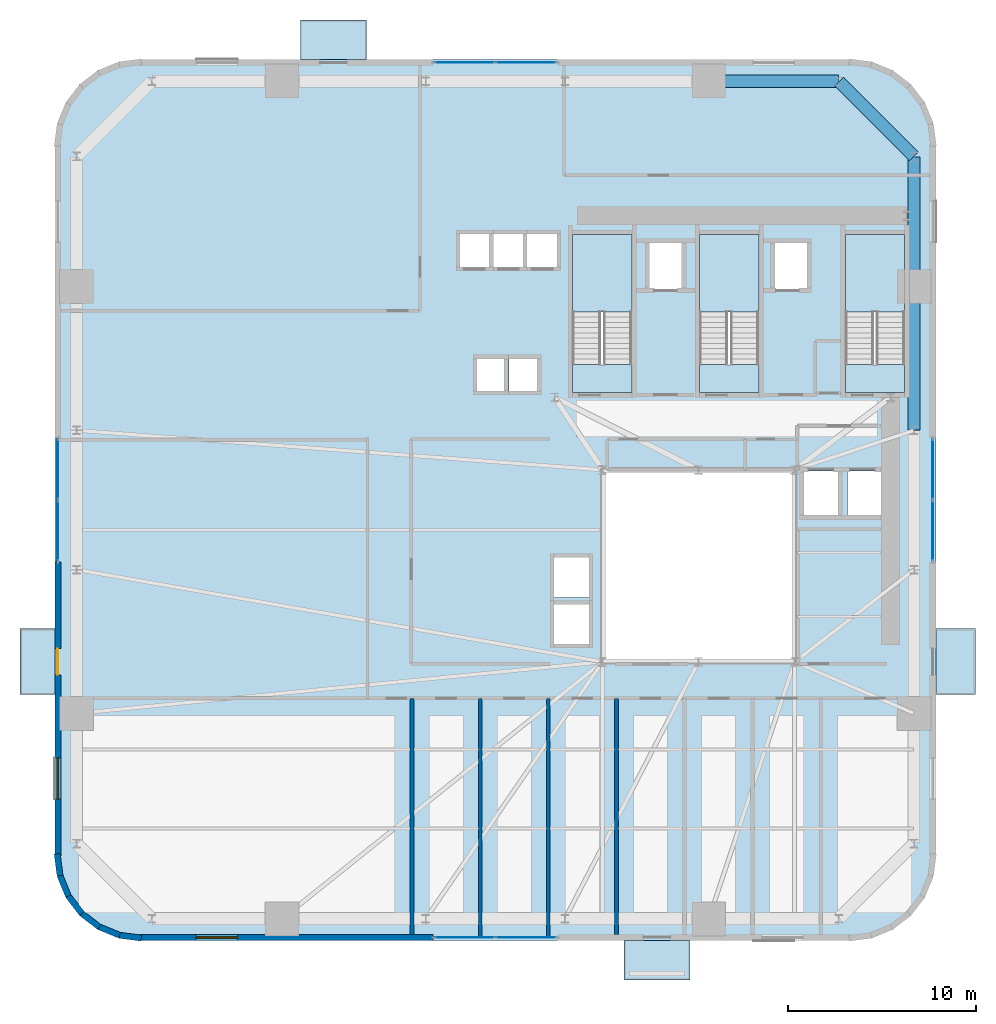
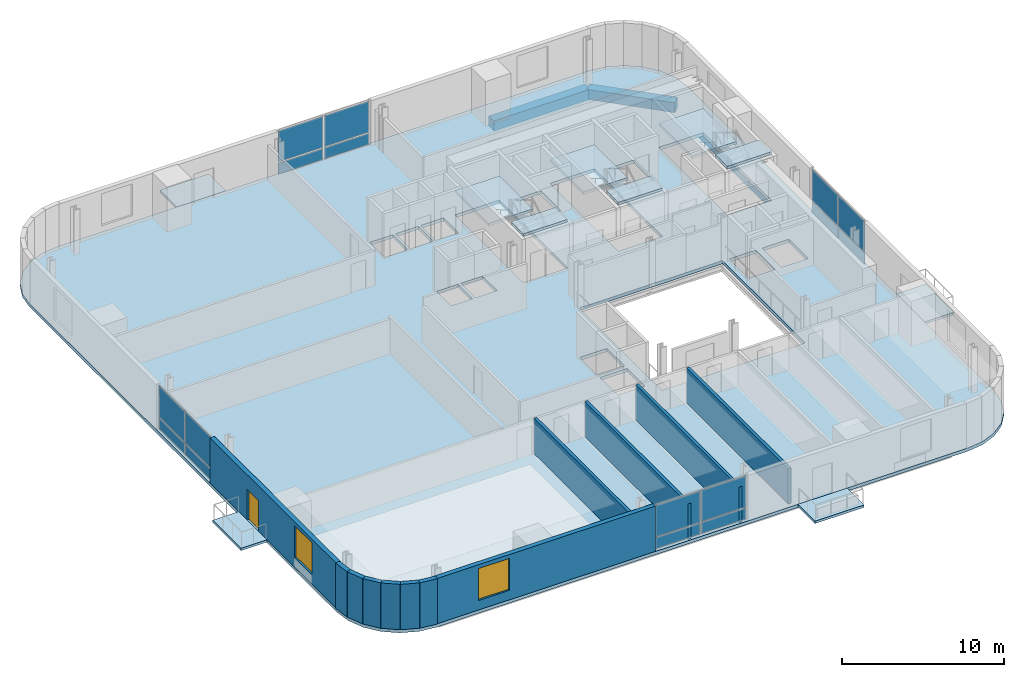
# One storey, part 5 of 12: 16 plates, 12 walls, 11 slabs, 4 beams, 2 windows, 1 door, 3 openings, 7 elements without a shape of their own.
"""IFC4 building model written with IfcOpenShell, lengths in metres."""

from ifc_helpers import new_model, si_unit, direction, frame, frame_2d, origin, origin_2d, place, context, subcontext, project, spatial, polyline, rectangle, outline, extrude, source, transform, mapped, material, layer, layer_set, material_profile, profile_set, type_object, element, fill, aggregate, save


model = new_model("IFC4")

# Units and contexts
model_context = context("Model", 3, precision=1e-05, world=origin(), true_north=direction((0.0, 1.0)))
body_context = subcontext(model_context, "Body", "Model", "MODEL_VIEW")
ifc_project = project(units=[si_unit("LENGTHUNIT", "METRE"), si_unit("AREAUNIT", "SQUARE_METRE"), si_unit("VOLUMEUNIT", "CUBIC_METRE"), si_unit("PLANEANGLEUNIT", "RADIAN"), si_unit("MASSUNIT", "GRAM", prefix="KILO")], contexts=[model_context])

# Site, building, storey
site_placement = place(None, origin())
site = spatial("IfcSite", under=ifc_project, at=site_placement, CompositionType="ELEMENT")
building_placement = place(site_placement, origin())
building = spatial("IfcBuilding", under=site, at=building_placement, Name="Vardaveli Station Tower", CompositionType="ELEMENT")
storey_placement = place(building_placement, frame((0.0, 0.0, 60.449951171875)))
storey = spatial("IfcBuildingStorey", under=building, at=storey_placement, Name="L15", CompositionType="ELEMENT", Elevation=60.449951171875)

# Beams
ifc_material_1 = material(Name="Precast concrete C45/55", Category="concrete")
ifc_material_profile = material_profile(ifc_material_1, rectangle(XDim=0.64990234375, YDim=0.75, at=origin_2d()), Name="LPB 650x750")
ifc_profile_set = profile_set([ifc_material_profile], Name="Precast concrete C45/55")
beam_type = type_object("IfcBeamType", Name="BM-LPB-750", PredefinedType="BEAM", material=ifc_profile_set)
shared_shape_1 = source(origin(), body_context, "Body", "SweptSolid", [
    extrude(rectangle(XDim=0.64990234375, YDim=0.75, at=origin_2d()), origin(), (0.0, 0.0, 1.0), 7.60009765625),
])
beam_1_placement = place(storey_placement, frame((47.75, 28.919921875, -0.614990234375), z_axis=(0.0, 1.0, 0.0), x_axis=(-1.0, 0.0, 0.0)))
element("IfcBeam", 1, at=beam_1_placement, inside=storey, type_object=beam_type, Name="RBM-L15-09", PredefinedType="BEAM", context=body_context, shape_type="MappedRepresentation", body=[
    mapped(shared_shape_1, transform((0.0, 0.0, 0.0), scale=1.0)),
])
shared_shape_2 = source(origin(), body_context, "Body", "SweptSolid", [
    extrude(rectangle(XDim=0.64990234375, YDim=0.75, at=origin_2d()), origin(), (0.0, 0.0, 1.0), 6.869873046875),
])
for number, where, z_axis, x_axis, name in (
    (2, (47.75, 36.56005859375, -0.614990234375), (0.0, 1.0, 0.0), (-1.0, 0.0, 0.0), "RBM-L15-10"),
    (3, (43.72998046875, 47.449951171875, -0.614990234375), (-1.0, 0.0, 0.0), (0.0, -1.0, 0.0), "RBM-L15-12"),
):
    element("IfcBeam", number, at=place(storey_placement, frame(where, z_axis=z_axis, x_axis=x_axis)), inside=storey, type_object=beam_type, Name=name, PredefinedType="BEAM", context=body_context, shape_type="MappedRepresentation", body=[
        mapped(shared_shape_2, transform((0.0, 0.0, 0.0), scale=1.0)),
    ])
shared_shape_3 = source(origin(), body_context, "Body", "SweptSolid", [
    extrude(rectangle(XDim=0.64990234375, YDim=0.75, at=origin_2d()), origin(), (0.0, 0.0, 1.0), 5.61669921875),
])
beam_2_placement = place(storey_placement, frame((47.73583984375, 43.464111328125, -0.614990234375), z_axis=(-0.707106781187, 0.707106781187, 0.0), x_axis=(-0.707106781187, -0.707106781187, 0.0)))
element("IfcBeam", 4, at=beam_2_placement, inside=storey, type_object=beam_type, Name="RBM-L15-11", PredefinedType="BEAM", context=body_context, shape_type="MappedRepresentation", body=[
    mapped(shared_shape_3, transform((0.0, 0.0, 0.0), scale=1.0)),
])

# Stair, slabs
ifc_material_2 = material(Name="Concrete C40/50", Category="concrete")
stair_type = type_object("IfcStairType", Name="STR-CORE-1500", PredefinedType="HALF_TURN_STAIR", material=ifc_material_2)
stair_1_placement = place(storey_placement, origin())
stair_1 = element("IfcStair", 5, at=stair_1_placement, inside=storey, type_object=stair_type, Name="L15 ST-1", PredefinedType="HALF_TURN_STAIR")
ifc_layer_1 = layer(ifc_material_2, 0.199951171875, Name="Concrete C40/50")
ifc_layer_set_1 = layer_set([ifc_layer_1], Name="Concrete C40/50")
slab_type_1 = type_object("IfcSlabType", Name="SLB-LAND-200", PredefinedType="LANDING", material=ifc_layer_set_1)
slab_1_placement = place(storey_placement, frame((0.0, 0.0, 1.625)))
slab_1 = element("IfcSlab", 6, at=slab_1_placement, type_object=slab_type_1, Name="ST-1 landing 1", PredefinedType="LANDING", context=body_context, shape_type="SweptSolid", body=[
    extrude(outline(polyline([(32.75, 35.199951171875), (32.75, 39.300048828125), (29.60009765625, 39.300048828125), (29.60009765625, 35.199951171875), (32.75, 35.199951171875)])), origin(), (0.0, 0.0, 1.0), 0.199951171875),
])
slab_2_placement = place(storey_placement, frame((0.0, 0.0, 3.449951171875)))
slab_2 = element("IfcSlab", 7, at=slab_2_placement, type_object=slab_type_1, Name="ST-1 landing 2", PredefinedType="LANDING", context=body_context, shape_type="SweptSolid", body=[
    extrude(outline(polyline([(32.75, 30.89990234375), (32.75, 32.39990234375), (29.60009765625, 32.39990234375), (29.60009765625, 30.89990234375), (32.75, 30.89990234375)])), origin(), (0.0, 0.0, 1.0), 0.2001953125),
])
aggregate(stair_1, [slab_1, slab_2])

stair_2_placement = place(storey_placement, origin())
stair_2 = element("IfcStair", 8, at=stair_2_placement, inside=storey, type_object=stair_type, Name="L15 ST-2", PredefinedType="HALF_TURN_STAIR")
slab_3_placement = place(storey_placement, frame((0.0, 0.0, 1.625)))
slab_3 = element("IfcSlab", 9, at=slab_3_placement, type_object=slab_type_1, Name="ST-2 landing 1", PredefinedType="LANDING", context=body_context, shape_type="SweptSolid", body=[
    extrude(outline(polyline([(39.5, 35.199951171875), (39.5, 39.300048828125), (36.35009765625, 39.300048828125), (36.35009765625, 35.199951171875), (39.5, 35.199951171875)])), origin(), (0.0, 0.0, 1.0), 0.199951171875),
])
slab_4_placement = place(storey_placement, frame((0.0, 0.0, 3.449951171875)))
slab_4 = element("IfcSlab", 10, at=slab_4_placement, type_object=slab_type_1, Name="ST-2 landing 2", PredefinedType="LANDING", context=body_context, shape_type="SweptSolid", body=[
    extrude(outline(polyline([(39.5, 30.89990234375), (39.5, 32.39990234375), (36.35009765625, 32.39990234375), (36.35009765625, 30.89990234375), (39.5, 30.89990234375)])), origin(), (0.0, 0.0, 1.0), 0.2001953125),
])
aggregate(stair_2, [slab_3, slab_4])

stair_3_placement = place(storey_placement, origin())
stair_3 = element("IfcStair", 11, at=stair_3_placement, inside=storey, type_object=stair_type, Name="L15 ST-3", PredefinedType="HALF_TURN_STAIR")
slab_5_placement = place(storey_placement, frame((0.0, 0.0, 1.625)))
slab_5 = element("IfcSlab", 12, at=slab_5_placement, type_object=slab_type_1, Name="ST-3 landing 1", PredefinedType="LANDING", context=body_context, shape_type="SweptSolid", body=[
    extrude(outline(polyline([(47.25, 35.199951171875), (47.25, 39.300048828125), (44.10009765625, 39.300048828125), (44.10009765625, 35.199951171875), (47.25, 35.199951171875)])), origin(), (0.0, 0.0, 1.0), 0.199951171875),
])
slab_6_placement = place(storey_placement, frame((0.0, 0.0, 3.449951171875)))
slab_6 = element("IfcSlab", 13, at=slab_6_placement, type_object=slab_type_1, Name="ST-3 landing 2", PredefinedType="LANDING", context=body_context, shape_type="SweptSolid", body=[
    extrude(outline(polyline([(47.25, 30.89990234375), (47.25, 32.39990234375), (44.10009765625, 32.39990234375), (44.10009765625, 30.89990234375), (47.25, 30.89990234375)])), origin(), (0.0, 0.0, 1.0), 0.2001953125),
])
aggregate(stair_3, [slab_5, slab_6])

# Slabs
ifc_layer_2 = layer(ifc_material_1, 0.179931640625, Name="Precast concrete C45/55")
ifc_layer_set_2 = layer_set([ifc_layer_2], Name="Precast concrete C45/55")
slab_type_2 = type_object("IfcSlabType", Name="SLB-LOGGIA-180", PredefinedType="FLOOR", material=ifc_layer_set_2)
slab_7_placement = place(storey_placement, frame((0.0, 0.0, -0.179931640625)))
element("IfcSlab", 14, at=slab_7_placement, inside=storey, type_object=slab_type_2, Name="LOG-L15-S", PredefinedType="FLOOR", context=body_context, shape_type="SweptSolid", body=[
    extrude(outline(polyline([(32.339599609375, -0.300048828125), (35.839599609375, -0.300048828125), (35.839599609375, 1.800048828125), (32.339599609375, 1.800048828125), (32.339599609375, -0.300048828125)])), origin(), (0.0, 0.0, 1.0), 0.179931640625),
])
slab_8_placement = place(storey_placement, frame((0.0, 0.0, -0.179931640625)))
element("IfcSlab", 15, at=slab_8_placement, inside=storey, type_object=slab_type_2, Name="LOG-L15-N", PredefinedType="FLOOR", context=body_context, shape_type="SweptSolid", body=[
    extrude(outline(polyline([(15.160400390625, 48.60009765625), (18.660400390625, 48.60009765625), (18.660400390625, 50.699951171875), (15.160400390625, 50.699951171875), (15.160400390625, 48.60009765625)])), origin(), (0.0, 0.0, 1.0), 0.179931640625),
])
slab_9_placement = place(storey_placement, frame((0.0, 0.0, -0.179931640625)))
element("IfcSlab", 16, at=slab_9_placement, inside=storey, type_object=slab_type_2, Name="LOG-L15-W", PredefinedType="FLOOR", context=body_context, shape_type="SweptSolid", body=[
    extrude(outline(polyline([(0.25, 14.8603515625), (2.10009765625, 14.8603515625), (2.10009765625, 18.3603515625), (0.25, 18.3603515625), (0.25, 14.8603515625)])), origin(), (0.0, 0.0, 1.0), 0.179931640625),
])
slab_10_placement = place(storey_placement, frame((0.0, 0.0, -0.179931640625)))
element("IfcSlab", 17, at=slab_10_placement, inside=storey, type_object=slab_type_2, Name="LOG-L15-E", PredefinedType="FLOOR", context=body_context, shape_type="SweptSolid", body=[
    extrude(outline(polyline([(48.89990234375, 14.8603515625), (51.0, 14.8603515625), (51.0, 18.3603515625), (48.89990234375, 18.3603515625), (48.89990234375, 14.8603515625)])), origin(), (0.0, 0.0, 1.0), 0.179931640625),
])
ifc_layer_3 = layer(ifc_material_2, 0.239990234375, Name="Concrete C40/50")
ifc_layer_set_3 = layer_set([ifc_layer_3], Name="Concrete C40/50")
slab_type_3 = type_object("IfcSlabType", Name="SLB-TOW-240", PredefinedType="FLOOR", material=ifc_layer_set_3)
slab_11_placement = place(storey_placement, frame((0.0, 0.0, -0.239990234375)))
element("IfcSlab", 18, at=slab_11_placement, inside=storey, type_object=slab_type_3, Name="SLB-L15-MAIN", PredefinedType="FLOOR", context=body_context, shape_type="SweptSolid", body=[
    extrude(outline(polyline([(2.10009765625, 6.300048828125), (2.25341796875, 5.13525390625), (2.702880859375, 4.050048828125), (3.41796875, 3.117919921875), (4.35009765625, 2.40283203125), (5.435302734375, 1.953369140625), (6.60009765625, 1.800048828125), (44.39990234375, 1.800048828125), (45.564697265625, 1.953369140625), (46.64990234375, 2.40283203125), (47.58203125, 3.117919921875), (48.297119140625, 4.050048828125), (48.74658203125, 5.13525390625), (48.89990234375, 6.300048828125), (48.89990234375, 44.10009765625), (48.74658203125, 45.2646484375), (48.297119140625, 46.35009765625), (47.58203125, 47.281982421875), (46.64990234375, 47.9970703125), (45.564697265625, 48.44677734375), (44.39990234375, 48.60009765625), (6.60009765625, 48.60009765625), (5.435302734375, 48.44677734375), (4.35009765625, 47.9970703125), (3.41796875, 47.281982421875), (2.702880859375, 46.35009765625), (2.25341796875, 45.2646484375), (2.10009765625, 44.10009765625), (2.10009765625, 6.300048828125)]), holes=[polyline([(31.199951171875, 16.60009765625), (41.39990234375, 16.60009765625), (41.39990234375, 26.800048828125), (31.199951171875, 26.800048828125), (31.199951171875, 16.60009765625)]), polyline([(32.75, 30.89990234375), (32.75, 39.300048828125), (29.60009765625, 39.300048828125), (29.60009765625, 30.89990234375), (32.75, 30.89990234375)]), polyline([(39.5, 30.89990234375), (39.5, 39.300048828125), (36.35009765625, 39.300048828125), (36.35009765625, 30.89990234375), (39.5, 30.89990234375)]), polyline([(47.25, 30.89990234375), (47.25, 39.300048828125), (44.10009765625, 39.300048828125), (44.10009765625, 30.89990234375), (47.25, 30.89990234375)]), polyline([(23.5849609375, 37.534912109375), (25.215087890625, 37.534912109375), (25.215087890625, 39.364990234375), (23.5849609375, 39.364990234375), (23.5849609375, 37.534912109375)]), polyline([(25.385009765625, 37.534912109375), (27.014892578125, 37.534912109375), (27.014892578125, 39.364990234375), (25.385009765625, 39.364990234375), (25.385009765625, 37.534912109375)]), polyline([(27.18505859375, 37.534912109375), (28.81494140625, 37.534912109375), (28.81494140625, 39.364990234375), (27.18505859375, 39.364990234375), (27.18505859375, 37.534912109375)]), polyline([(33.659912109375, 36.409912109375), (35.43994140625, 36.409912109375), (35.43994140625, 38.889892578125), (33.659912109375, 38.889892578125), (33.659912109375, 36.409912109375)]), polyline([(40.31005859375, 36.409912109375), (42.090087890625, 36.409912109375), (42.090087890625, 38.889892578125), (40.31005859375, 38.889892578125), (40.31005859375, 36.409912109375)]), polyline([(24.485107421875, 30.9599609375), (26.014892578125, 30.9599609375), (26.014892578125, 32.739990234375), (24.485107421875, 32.739990234375), (24.485107421875, 30.9599609375)]), polyline([(26.235107421875, 30.9599609375), (27.764892578125, 30.9599609375), (27.764892578125, 32.739990234375), (26.235107421875, 32.739990234375), (26.235107421875, 30.9599609375)]), polyline([(28.5849609375, 17.510009765625), (30.514892578125, 17.510009765625), (30.514892578125, 19.68994140625), (28.5849609375, 19.68994140625), (28.5849609375, 17.510009765625)]), polyline([(28.5849609375, 20.010009765625), (30.514892578125, 20.010009765625), (30.514892578125, 22.18994140625), (28.5849609375, 22.18994140625), (28.5849609375, 20.010009765625)]), polyline([(41.860107421875, 24.360107421875), (43.739990234375, 24.360107421875), (43.739990234375, 26.739990234375), (41.860107421875, 26.739990234375), (41.860107421875, 24.360107421875)]), polyline([(44.2099609375, 24.360107421875), (46.090087890625, 24.360107421875), (46.090087890625, 26.739990234375), (44.2099609375, 26.739990234375), (44.2099609375, 24.360107421875)])]), origin(), (0.0, 0.0, 1.0), 0.239990234375),
])

# Curtain wall, plates
ifc_material_3 = material(Name="Travertine stone and solar-control glass", Category="masonry")
curtain_wall_type = type_object("IfcCurtainWallType", Name="CW-SYS-2", PredefinedType="NOTDEFINED", material=ifc_material_3)
curtain_wall_1_placement = place(storey_placement, origin())
curtain_wall_1 = element("IfcCurtainWall", 19, at=curtain_wall_1_placement, inside=storey, type_object=curtain_wall_type, Name="CW-L15-S", PredefinedType="NOTDEFINED")
ifc_material_4 = material(Name="Double-glazed low-E solar-control glass", Category="glass")
ifc_layer_4 = layer(ifc_material_4, 0.035888671875, Name="Double-glazed low-E solar-control glass")
ifc_layer_set_4 = layer_set([ifc_layer_4], Name="Double-glazed low-E solar-control glass")
plate_type = type_object("IfcPlateType", Name="CW-SYS-2-PAN", PredefinedType="CURTAIN_PANEL", material=ifc_layer_set_4)
shared_shape_4 = source(origin(), body_context, "Body", "SweptSolid", [
    extrude(rectangle(XDim=3.172607421875, YDim=0.035888671875, at=origin_2d()), origin(), (0.0, 0.0, 1.0), 0.822509765625),
])
plate_1_placement = place(storey_placement, frame((23.871337890625, 1.9599609375, 0.0849609375), z_axis=(0.0, 0.0, 1.0), x_axis=(1.0, 0.0, 0.0)))
plate_1 = element("IfcPlate", 20, at=plate_1_placement, type_object=plate_type, Name="CW-2 panel 1.1", PredefinedType="CURTAIN_PANEL", context=body_context, shape_type="MappedRepresentation", body=[
    mapped(shared_shape_4, transform((0.0, 0.0, 0.0), scale=1.0)),
])
plate_2_placement = place(storey_placement, frame((27.128662109375, 1.9599609375, 0.0849609375), z_axis=(0.0, 0.0, 1.0), x_axis=(1.0, 0.0, 0.0)))
plate_2 = element("IfcPlate", 21, at=plate_2_placement, type_object=plate_type, Name="CW-2 panel 2.1", PredefinedType="CURTAIN_PANEL", context=body_context, shape_type="MappedRepresentation", body=[
    mapped(shared_shape_4, transform((0.0, 0.0, 0.0), scale=1.0)),
])

curtain_wall_2_placement = place(storey_placement, origin())
curtain_wall_2 = element("IfcCurtainWall", 22, at=curtain_wall_2_placement, inside=storey, type_object=curtain_wall_type, Name="CW-L15-N", PredefinedType="NOTDEFINED")
plate_3_placement = place(storey_placement, frame((27.128662109375, 48.43994140625, 0.0849609375), z_axis=(0.0, 0.0, 1.0), x_axis=(-1.0, 0.0, 0.0)))
plate_3 = element("IfcPlate", 23, at=plate_3_placement, type_object=plate_type, Name="CW-2 panel 1.1", PredefinedType="CURTAIN_PANEL", context=body_context, shape_type="MappedRepresentation", body=[
    mapped(shared_shape_4, transform((0.0, 0.0, 0.0), scale=1.0)),
])
plate_4_placement = place(storey_placement, frame((23.871337890625, 48.43994140625, 0.0849609375), z_axis=(0.0, 0.0, 1.0), x_axis=(-1.0, 0.0, 0.0)))
plate_4 = element("IfcPlate", 24, at=plate_4_placement, type_object=plate_type, Name="CW-2 panel 2.1", PredefinedType="CURTAIN_PANEL", context=body_context, shape_type="MappedRepresentation", body=[
    mapped(shared_shape_4, transform((0.0, 0.0, 0.0), scale=1.0)),
])

curtain_wall_3_placement = place(storey_placement, origin())
curtain_wall_3 = element("IfcCurtainWall", 25, at=curtain_wall_3_placement, inside=storey, type_object=curtain_wall_type, Name="CW-L15-W", PredefinedType="NOTDEFINED")
plate_5_placement = place(storey_placement, frame((2.260009765625, 26.828857421875, 0.0849609375), z_axis=(0.0, 0.0, 1.0), x_axis=(0.0, -1.0, 0.0)))
plate_5 = element("IfcPlate", 26, at=plate_5_placement, type_object=plate_type, Name="CW-2 panel 1.1", PredefinedType="CURTAIN_PANEL", context=body_context, shape_type="MappedRepresentation", body=[
    mapped(shared_shape_4, transform((0.0, 0.0, 0.0), scale=1.0)),
])
plate_6_placement = place(storey_placement, frame((2.260009765625, 23.5712890625, 0.0849609375), z_axis=(0.0, 0.0, 1.0), x_axis=(0.0, -1.0, 0.0)))
plate_6 = element("IfcPlate", 27, at=plate_6_placement, type_object=plate_type, Name="CW-2 panel 2.1", PredefinedType="CURTAIN_PANEL", context=body_context, shape_type="MappedRepresentation", body=[
    mapped(shared_shape_4, transform((0.0, 0.0, 0.0), scale=1.0)),
])

curtain_wall_4_placement = place(storey_placement, origin())
curtain_wall_4 = element("IfcCurtainWall", 28, at=curtain_wall_4_placement, inside=storey, type_object=curtain_wall_type, Name="CW-L15-E", PredefinedType="NOTDEFINED")
plate_7_placement = place(storey_placement, frame((48.739990234375, 23.5712890625, 0.0849609375), z_axis=(0.0, 0.0, 1.0), x_axis=(0.0, 1.0, 0.0)))
plate_7 = element("IfcPlate", 29, at=plate_7_placement, type_object=plate_type, Name="CW-2 panel 1.1", PredefinedType="CURTAIN_PANEL", context=body_context, shape_type="MappedRepresentation", body=[
    mapped(shared_shape_4, transform((0.0, 0.0, 0.0), scale=1.0)),
])
plate_8_placement = place(storey_placement, frame((48.739990234375, 26.828857421875, 0.0849609375), z_axis=(0.0, 0.0, 1.0), x_axis=(0.0, 1.0, 0.0)))
plate_8 = element("IfcPlate", 30, at=plate_8_placement, type_object=plate_type, Name="CW-2 panel 2.1", PredefinedType="CURTAIN_PANEL", context=body_context, shape_type="MappedRepresentation", body=[
    mapped(shared_shape_4, transform((0.0, 0.0, 0.0), scale=1.0)),
])

# Plate
shared_shape_5 = source(origin(), body_context, "Body", "SweptSolid", [
    extrude(rectangle(XDim=3.172607421875, YDim=0.035888671875, at=origin_2d()), origin(), (0.0, 0.0, 1.0), 2.33251953125),
])
plate_9_placement = place(storey_placement, frame((23.871337890625, 1.9599609375, 0.992431640625), z_axis=(0.0, 0.0, 1.0), x_axis=(1.0, 0.0, 0.0)))
plate_9 = element("IfcPlate", 31, at=plate_9_placement, type_object=plate_type, Name="CW-2 panel 1.2", PredefinedType="CURTAIN_PANEL", context=body_context, shape_type="MappedRepresentation", body=[
    mapped(shared_shape_5, transform((0.0, 0.0, 0.0), scale=1.0)),
])

plate_10_placement = place(storey_placement, frame((27.128662109375, 1.9599609375, 0.992431640625), z_axis=(0.0, 0.0, 1.0), x_axis=(1.0, 0.0, 0.0)))
plate_10 = element("IfcPlate", 32, at=plate_10_placement, type_object=plate_type, Name="CW-2 panel 2.2", PredefinedType="CURTAIN_PANEL", context=body_context, shape_type="MappedRepresentation", body=[
    mapped(shared_shape_5, transform((0.0, 0.0, 0.0), scale=1.0)),
])

aggregate(curtain_wall_1, [plate_1, plate_9, plate_2, plate_10])

plate_11_placement = place(storey_placement, frame((27.128662109375, 48.43994140625, 0.992431640625), z_axis=(0.0, 0.0, 1.0), x_axis=(-1.0, 0.0, 0.0)))
plate_11 = element("IfcPlate", 33, at=plate_11_placement, type_object=plate_type, Name="CW-2 panel 1.2", PredefinedType="CURTAIN_PANEL", context=body_context, shape_type="MappedRepresentation", body=[
    mapped(shared_shape_5, transform((0.0, 0.0, 0.0), scale=1.0)),
])

plate_12_placement = place(storey_placement, frame((23.871337890625, 48.43994140625, 0.992431640625), z_axis=(0.0, 0.0, 1.0), x_axis=(-1.0, 0.0, 0.0)))
plate_12 = element("IfcPlate", 34, at=plate_12_placement, type_object=plate_type, Name="CW-2 panel 2.2", PredefinedType="CURTAIN_PANEL", context=body_context, shape_type="MappedRepresentation", body=[
    mapped(shared_shape_5, transform((0.0, 0.0, 0.0), scale=1.0)),
])

aggregate(curtain_wall_2, [plate_3, plate_11, plate_4, plate_12])

plate_13_placement = place(storey_placement, frame((2.260009765625, 26.828857421875, 0.992431640625), z_axis=(0.0, 0.0, 1.0), x_axis=(0.0, -1.0, 0.0)))
plate_13 = element("IfcPlate", 35, at=plate_13_placement, type_object=plate_type, Name="CW-2 panel 1.2", PredefinedType="CURTAIN_PANEL", context=body_context, shape_type="MappedRepresentation", body=[
    mapped(shared_shape_5, transform((0.0, 0.0, 0.0), scale=1.0)),
])

plate_14_placement = place(storey_placement, frame((2.260009765625, 23.5712890625, 0.992431640625), z_axis=(0.0, 0.0, 1.0), x_axis=(0.0, -1.0, 0.0)))
plate_14 = element("IfcPlate", 36, at=plate_14_placement, type_object=plate_type, Name="CW-2 panel 2.2", PredefinedType="CURTAIN_PANEL", context=body_context, shape_type="MappedRepresentation", body=[
    mapped(shared_shape_5, transform((0.0, 0.0, 0.0), scale=1.0)),
])

aggregate(curtain_wall_3, [plate_5, plate_13, plate_6, plate_14])

plate_15_placement = place(storey_placement, frame((48.739990234375, 23.5712890625, 0.992431640625), z_axis=(0.0, 0.0, 1.0), x_axis=(0.0, 1.0, 0.0)))
plate_15 = element("IfcPlate", 37, at=plate_15_placement, type_object=plate_type, Name="CW-2 panel 1.2", PredefinedType="CURTAIN_PANEL", context=body_context, shape_type="MappedRepresentation", body=[
    mapped(shared_shape_5, transform((0.0, 0.0, 0.0), scale=1.0)),
])

plate_16_placement = place(storey_placement, frame((48.739990234375, 26.828857421875, 0.992431640625), z_axis=(0.0, 0.0, 1.0), x_axis=(0.0, 1.0, 0.0)))
plate_16 = element("IfcPlate", 38, at=plate_16_placement, type_object=plate_type, Name="CW-2 panel 2.2", PredefinedType="CURTAIN_PANEL", context=body_context, shape_type="MappedRepresentation", body=[
    mapped(shared_shape_5, transform((0.0, 0.0, 0.0), scale=1.0)),
])

aggregate(curtain_wall_4, [plate_7, plate_15, plate_8, plate_16])

# Wall, opening, window
ifc_layer_5 = layer(ifc_material_1, 0.320068359375, Name="Precast concrete C45/55")
ifc_layer_set_5 = layer_set([ifc_layer_5], Name="Precast concrete C45/55")
wall_type_1 = type_object("IfcWallType", Name="WAL-EXT-STONE-320", PredefinedType="SOLIDWALL", material=ifc_layer_set_5)
shared_shape_6 = source(origin(), body_context, "Body", "SweptSolid", [
    extrude(rectangle(XDim=15.599853515625, YDim=0.320068359375, at=frame_2d((7.7998046875, 0.0))), origin(), (0.0, 0.0, 1.0), 3.41015625),
])
wall_1_placement = place(storey_placement, frame((6.60009765625, 1.9599609375, 0.0), z_axis=(0.0, 0.0, 1.0), x_axis=(1.0, 0.0, 0.0)))
wall_1 = element("IfcWall", 39, at=wall_1_placement, inside=storey, type_object=wall_type_1, Name="EW-L15-S1", PredefinedType="SOLIDWALL", context=body_context, shape_type="MappedRepresentation", body=[
    mapped(shared_shape_6, transform((0.0, 0.0, 0.0), scale=1.0)),
])
shared_shape_7 = source(origin(), body_context, "Body", "SweptSolid", [
    extrude(rectangle(XDim=2.199951171875, YDim=2.39990234375, at=frame_2d((1.10009765625, 1.199951171875))), frame((0.0, 0.169921875, 0.0), z_axis=(0.0, -1.0, 0.0), x_axis=(1.0, 0.0, 0.0)), (0.0, 0.0, 1.0), 0.340087890625),
])
opening_1_placement = place(wall_1_placement, frame((3.0048828125, 0.0, 0.719970703125)))
opening_1 = element("IfcOpeningElement", 40, at=opening_1_placement, cuts=wall_1, Name="Opening W-03", PredefinedType="OPENING", context=body_context, shape_type="MappedRepresentation", body=[
    mapped(shared_shape_7, transform((0.0, 0.0, 0.0), scale=1.0)),
])
ifc_material_5 = material(Name="Low-E solar-control glass", Category="glass")
window_type = type_object("IfcWindowType", Name="WIN-LOG-2200x2400", PartitioningType="SINGLE_PANEL", PredefinedType="WINDOW", material=ifc_material_5)
shared_shape_8 = source(origin(), body_context, "Body", "SweptSolid", [
    extrude(rectangle(XDim=2.199951171875, YDim=2.39990234375, at=frame_2d((1.10009765625, 1.199951171875))), frame((0.0, 0.030029296875, 0.0), z_axis=(0.0, -1.0, 0.0), x_axis=(1.0, 0.0, 0.0)), (0.0, 0.0, 1.0), 0.06005859375),
])
window_1_placement = place(opening_1_placement, origin())
window_1 = element("IfcWindow", 41, at=window_1_placement, inside=storey, type_object=window_type, Name="WN-L15-S1", OverallHeight=2.39990234375, OverallWidth=2.199951171875, PartitioningType="SINGLE_PANEL", PredefinedType="WINDOW", context=body_context, shape_type="MappedRepresentation", body=[
    mapped(shared_shape_8, transform((0.0, 0.0, 0.0), scale=1.0)),
])
fill(opening_1, window_1)

# Wall, openings, door, window
wall_2_placement = place(storey_placement, frame((2.260009765625, 21.89990234375, 0.0), z_axis=(0.0, 0.0, 1.0), x_axis=(0.0, -1.0, 0.0)))
wall_2 = element("IfcWall", 42, at=wall_2_placement, inside=storey, type_object=wall_type_1, Name="EW-L15-W2", PredefinedType="SOLIDWALL", context=body_context, shape_type="MappedRepresentation", body=[
    mapped(shared_shape_6, transform((0.0, 0.0, 0.0), scale=1.0)),
])
shared_shape_9 = source(origin(), body_context, "Body", "SweptSolid", [
    extrude(rectangle(XDim=1.39990234375, YDim=2.300048828125, at=frame_2d((0.699951171875, 1.14990234375))), frame((0.0, 0.169921875, 0.0), z_axis=(0.0, -1.0, 0.0), x_axis=(1.0, 0.0, 0.0)), (0.0, 0.0, 1.0), 0.340087890625),
])
opening_2_placement = place(wall_2_placement, frame((4.589599609375, 0.0, 0.0)))
opening_2 = element("IfcOpeningElement", 43, at=opening_2_placement, cuts=wall_2, Name="Opening D-09", PredefinedType="OPENING", context=body_context, shape_type="MappedRepresentation", body=[
    mapped(shared_shape_9, transform((0.0, 0.0, 0.0), scale=1.0)),
])
opening_3_placement = place(wall_2_placement, frame((10.39501953125, 0.0, 0.719970703125)))
opening_3 = element("IfcOpeningElement", 44, at=opening_3_placement, cuts=wall_2, Name="Opening W-03", PredefinedType="OPENING", context=body_context, shape_type="MappedRepresentation", body=[
    mapped(shared_shape_7, transform((0.0, 0.0, 0.0), scale=1.0)),
])
ifc_material_6 = material(Name="Thermally broken aluminium glass", Category="aluminium")
door_type = type_object("IfcDoorType", Name="DR-LOG-1400x2300", OperationType="DOUBLE_DOOR_SLIDING", PredefinedType="DOOR", material=ifc_material_6)
shared_shape_10 = source(origin(), body_context, "Body", "SweptSolid", [
    extrude(rectangle(XDim=1.39990234375, YDim=2.300048828125, at=frame_2d((0.699951171875, 1.14990234375))), frame((0.0, 0.02490234375, 0.0), z_axis=(0.0, -1.0, 0.0), x_axis=(1.0, 0.0, 0.0)), (0.0, 0.0, 1.0), 0.050048828125),
])
door_placement = place(opening_2_placement, frame((1.39990234375, 0.0, 0.0), z_axis=(0.0, 0.0, 1.0), x_axis=(-1.0, 0.0, 0.0)))
door = element("IfcDoor", 45, at=door_placement, inside=storey, type_object=door_type, Name="DLG-L15-W", OperationType="DOUBLE_DOOR_SLIDING", OverallHeight=2.300048828125, OverallWidth=1.39990234375, PredefinedType="DOOR", context=body_context, shape_type="MappedRepresentation", body=[
    mapped(shared_shape_10, transform((0.0, 0.0, 0.0), scale=1.0)),
])
fill(opening_2, door)
window_2_placement = place(opening_3_placement, origin())
window_2 = element("IfcWindow", 46, at=window_2_placement, inside=storey, type_object=window_type, Name="WN-L15-W2", OverallHeight=2.39990234375, OverallWidth=2.199951171875, PartitioningType="SINGLE_PANEL", PredefinedType="WINDOW", context=body_context, shape_type="MappedRepresentation", body=[
    mapped(shared_shape_8, transform((0.0, 0.0, 0.0), scale=1.0)),
])
fill(opening_3, window_2)

# Walls
shared_shape_11 = source(origin(), body_context, "Body", "SweptSolid", [
    extrude(rectangle(XDim=1.170654296875, YDim=0.320068359375, at=frame_2d((0.58544921875, 0.0))), origin(), (0.0, 0.0, 1.0), 3.41015625),
])
wall_3_placement = place(storey_placement, frame((2.224365234375, 6.400634765625, 0.0), z_axis=(0.0, 0.0, 1.0), x_axis=(0.128269133229, -0.991739395941, 0.0)))
element("IfcWall", 47, at=wall_3_placement, inside=storey, type_object=wall_type_1, Name="EW-L15-CR1-1", PredefinedType="SOLIDWALL", context=body_context, shape_type="MappedRepresentation", body=[
    mapped(shared_shape_11, transform((0.0, 0.0, 0.0), scale=1.0)),
])
shared_shape_12 = source(origin(), body_context, "Body", "SweptSolid", [
    extrude(rectangle(XDim=1.1689453125, YDim=0.320068359375, at=frame_2d((0.58447265625, 0.0))), origin(), (0.0, 0.0, 1.0), 3.41015625),
])
for number, where, z_axis, x_axis, name in (
    (48, (2.37451171875, 5.23974609375, 0.0), (0.0, 0.0, 1.0), (0.381127904695, -0.924522320046, 0.0), "EW-L15-CR1-2"),
    (49, (2.820068359375, 4.158935546875, 0.0), (0.0, 0.0, 1.0), (0.608387696831, -0.793639975269, 0.0), "EW-L15-CR1-3"),
):
    element("IfcWall", number, at=place(storey_placement, frame(where, z_axis=z_axis, x_axis=x_axis)), inside=storey, type_object=wall_type_1, Name=name, PredefinedType="SOLIDWALL", context=body_context, shape_type="MappedRepresentation", body=[
        mapped(shared_shape_12, transform((0.0, 0.0, 0.0), scale=1.0)),
    ])
shared_shape_13 = source(origin(), body_context, "Body", "SweptSolid", [
    extrude(rectangle(XDim=1.168701171875, YDim=0.320068359375, at=frame_2d((0.58447265625, 0.0))), origin(), (0.0, 0.0, 1.0), 3.41015625),
])
wall_4_placement = place(storey_placement, frame((3.53125, 3.231201171875, 0.0), z_axis=(0.0, 0.0, 1.0), x_axis=(0.793663520347, -0.608356981114, 0.0)))
element("IfcWall", 50, at=wall_4_placement, inside=storey, type_object=wall_type_1, Name="EW-L15-CR1-4", PredefinedType="SOLIDWALL", context=body_context, shape_type="MappedRepresentation", body=[
    mapped(shared_shape_13, transform((0.0, 0.0, 0.0), scale=1.0)),
])
shared_shape_14 = source(origin(), body_context, "Body", "SweptSolid", [
    extrude(rectangle(XDim=1.16943359375, YDim=0.320068359375, at=frame_2d((0.584716796875, 0.0))), origin(), (0.0, 0.0, 1.0), 3.41015625),
])
wall_5_placement = place(storey_placement, frame((4.458740234375, 2.520263671875, 0.0), z_axis=(0.0, 0.0, 1.0), x_axis=(0.924479075121, -0.381232789334, 0.0)))
element("IfcWall", 51, at=wall_5_placement, inside=storey, type_object=wall_type_1, Name="EW-L15-CR1-5", PredefinedType="SOLIDWALL", context=body_context, shape_type="MappedRepresentation", body=[
    mapped(shared_shape_14, transform((0.0, 0.0, 0.0), scale=1.0)),
])
shared_shape_15 = source(origin(), body_context, "Body", "SweptSolid", [
    extrude(rectangle(XDim=1.170166015625, YDim=0.320068359375, at=frame_2d((0.5849609375, 0.0))), origin(), (0.0, 0.0, 1.0), 3.41015625),
])
wall_6_placement = place(storey_placement, frame((5.539794921875, 2.074462890625, 0.0), z_axis=(0.0, 0.0, 1.0), x_axis=(0.991762485493, -0.128090485085, 0.0)))
element("IfcWall", 52, at=wall_6_placement, inside=storey, type_object=wall_type_1, Name="EW-L15-CR1-6", PredefinedType="SOLIDWALL", context=body_context, shape_type="MappedRepresentation", body=[
    mapped(shared_shape_15, transform((0.0, 0.0, 0.0), scale=1.0)),
])
ifc_material_7 = material(Name="Acoustic twin-stud gypsum partition")
ifc_layer_6 = layer(ifc_material_7, 0.199951171875, Name="Acoustic twin-stud gypsum partition")
ifc_layer_set_6 = layer_set([ifc_layer_6], Name="Acoustic twin-stud gypsum partition")
wall_type_2 = type_object("IfcWallType", Name="WAL-PARTY-200", PredefinedType="PARTITIONING", material=ifc_layer_set_6)
shared_shape_16 = source(origin(), body_context, "Body", "SweptSolid", [
    extrude(rectangle(XDim=12.537841796875, YDim=0.199951171875, at=frame_2d((6.26904296875, 0.0))), origin(), (0.0, 0.0, 1.0), 2.652099609375),
])
for number, where, z_axis, x_axis, name in (
    (53, (21.080078125, 2.1220703125, 0.0), (0.0, 0.0, 1.0), (0.0, 1.0, 0.0), "W-L15-PS1"),
    (54, (31.93408203125, 2.1220703125, 0.0), (0.0, 0.0, 1.0), (0.0, 1.0, 0.0), "W-L15-PS4"),
):
    element("IfcWall", number, at=place(storey_placement, frame(where, z_axis=z_axis, x_axis=x_axis)), inside=storey, type_object=wall_type_2, Name=name, PredefinedType="PARTITIONING", context=body_context, shape_type="MappedRepresentation", body=[
        mapped(shared_shape_16, transform((0.0, 0.0, 0.0), scale=1.0)),
    ])
shared_shape_17 = source(origin(), body_context, "Body", "SweptSolid", [
    extrude(rectangle(XDim=12.72998046875, YDim=0.199951171875, at=frame_2d((6.364990234375, 0.0))), origin(), (0.0, 0.0, 1.0), 2.652099609375),
])
for number, where, z_axis, x_axis, name in (
    (55, (24.697998046875, 1.929931640625, 0.0), (0.0, 0.0, 1.0), (0.0, 1.0, 0.0), "W-L15-PS2"),
    (56, (28.31591796875, 1.929931640625, 0.0), (0.0, 0.0, 1.0), (0.0, 1.0, 0.0), "W-L15-PS3"),
):
    element("IfcWall", number, at=place(storey_placement, frame(where, z_axis=z_axis, x_axis=x_axis)), inside=storey, type_object=wall_type_2, Name=name, PredefinedType="PARTITIONING", context=body_context, shape_type="MappedRepresentation", body=[
        mapped(shared_shape_17, transform((0.0, 0.0, 0.0), scale=1.0)),
    ])

save(model, "model.ifc")
